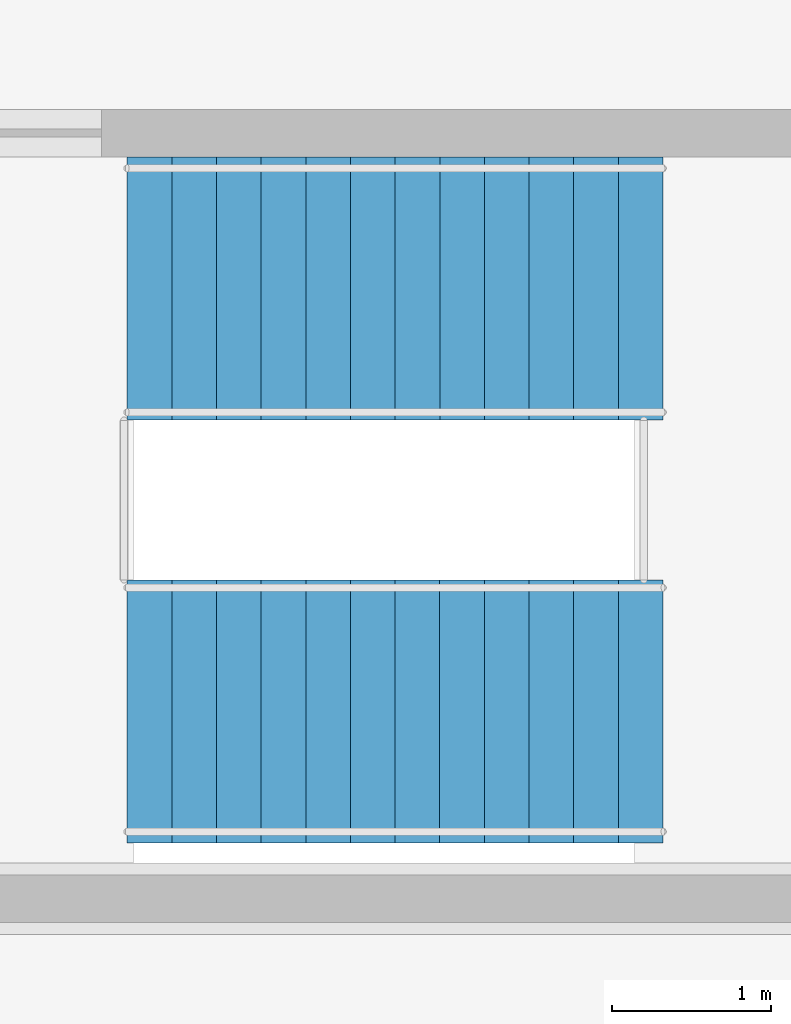
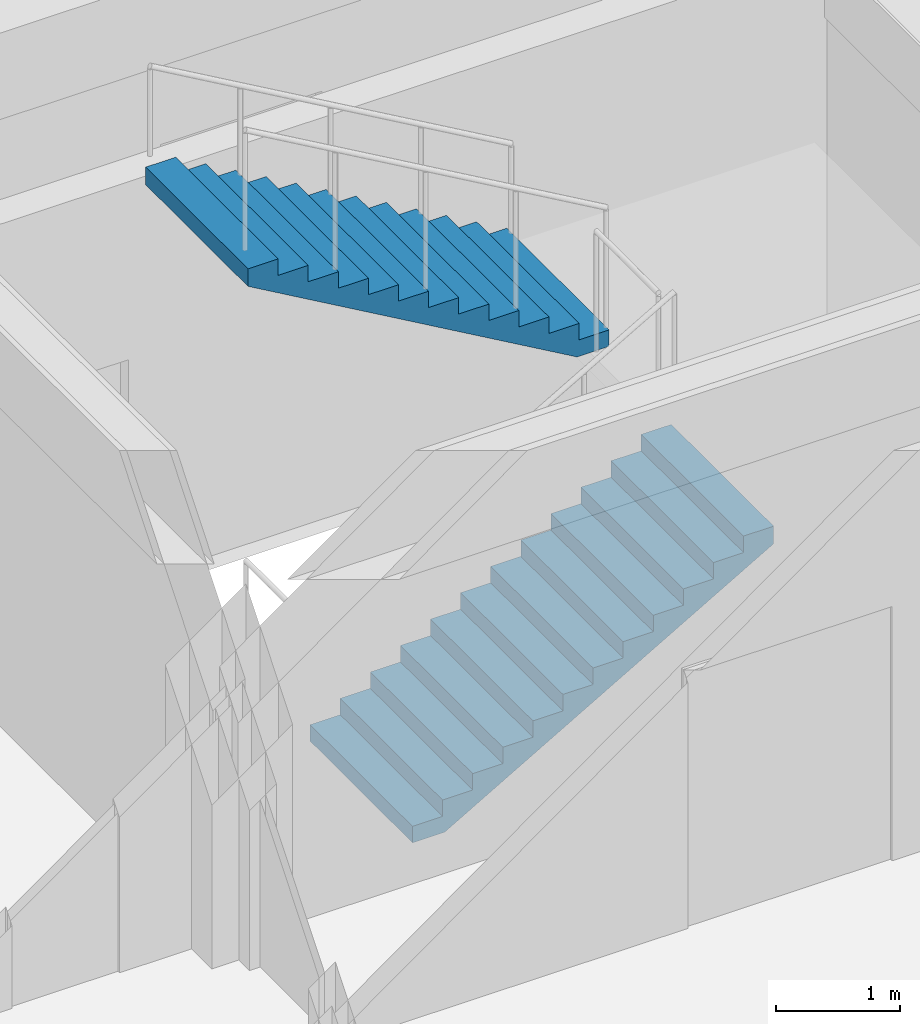
# One storey, part 24 of 27: 2 stair flights, 1 element without a shape of its own.
"""IFC4 building model written with IfcOpenShell, lengths in metres."""

import ifcopenshell
import ifcopenshell.guid

model = None  # the IFC model being written
_history = None  # IfcOwnerHistory: only IFC2X3 demands one
_inside = {}  # id of a spatial element -> (the spatial element, [elements in it])
_under = {}  # id of a project, library or spatial element -> (it, [spatial elements below it])
_declared = {}  # id of a project -> (the project, [libraries it declares])
_typed = {}  # id of a type object -> (the type object, [elements of that type])
_made_of = {}  # id of a material, layer set ... -> (it, [elements and type objects made of it])


def new_model(schema):
    """Start an empty IFC model of exactly this schema.

    Asked for "IFC4X3", IfcOpenShell would pick the latest addendum, in which some entities
    have other attributes; the version numbers below select the first issue.
    IFC2X3 requires an IfcOwnerHistory on every rooted entity: one is made here for all.
    """
    global model, _history
    if schema == "IFC4X3":
        model = ifcopenshell.file(schema_version=(4, 3, 0, 0))
    else:
        model = ifcopenshell.file(schema=schema)
    _inside.clear()
    _under.clear()
    _declared.clear()
    _typed.clear()
    _made_of.clear()
    _history = None
    if model.schema == "IFC2X3":
        org = make("IfcOrganization", Name="unknown")
        user = make(
            "IfcPersonAndOrganization",
            ThePerson=make("IfcPerson", FamilyName="unknown"),
            TheOrganization=org,
        )
        app = make(
            "IfcApplication",
            ApplicationDeveloper=org,
            Version="unknown",
            ApplicationFullName="unknown",
            ApplicationIdentifier="unknown",
        )
        _history = make(
            "IfcOwnerHistory",
            OwningUser=user,
            OwningApplication=app,
            ChangeAction="ADDED",
            CreationDate=0,
        )
    return model


def make(cls, **values):
    """One entity of the class cls with the attributes given. An attribute that is None is left unset."""
    return model.create_entity(
        cls, **{name: value for name, value in values.items() if value is not None}
    )


def rooted(cls, **values):
    """An entity with a GlobalId (a new one), such as an element, a storey or a relation."""
    return make(cls, GlobalId=ifcopenshell.guid.new(), OwnerHistory=_history, **values)


def si_unit(unit_type, name, prefix=None):
    """IfcSIUnit, for example si_unit("LENGTHUNIT", "METRE", prefix="MILLI")."""
    return make("IfcSIUnit", UnitType=unit_type, Prefix=prefix, Name=name)


def assignment(units):
    """IfcUnitAssignment: the units of a project."""
    return None if units is None else make("IfcUnitAssignment", Units=units)


def point(xyz):
    """IfcCartesianPoint."""
    return None if xyz is None else make("IfcCartesianPoint", Coordinates=xyz)


def direction(xyz):
    """IfcDirection."""
    return None if xyz is None else make("IfcDirection", DirectionRatios=xyz)


def frame(location, z_axis=None, x_axis=None):
    """IfcAxis2Placement3D, a coordinate frame: its origin and axes. An axis left out is left unset."""
    return make(
        "IfcAxis2Placement3D",
        Location=point(location),
        Axis=direction(z_axis),
        RefDirection=direction(x_axis),
    )


def origin():
    """The frame at (0, 0, 0) with its axes left unset."""
    return frame((0.0, 0.0, 0.0))


def place(relative_to, where):
    """IfcLocalPlacement: puts the frame where relative to a parent placement (None: the world)."""
    return make(
        "IfcLocalPlacement", PlacementRelTo=relative_to, RelativePlacement=where
    )


def context(
    kind, dimensions, precision=None, world=None, true_north=None, identifier=None
):
    """IfcGeometricRepresentationContext, for example the 3D "Model" context."""
    return make(
        "IfcGeometricRepresentationContext",
        ContextIdentifier=identifier,
        ContextType=kind,
        CoordinateSpaceDimension=dimensions,
        Precision=precision,
        WorldCoordinateSystem=world,
        TrueNorth=true_north,
    )


def subcontext(parent, identifier, kind, view, scale=None):
    """IfcGeometricRepresentationSubContext, for example "Body" below "Model"."""
    return make(
        "IfcGeometricRepresentationSubContext",
        ContextIdentifier=identifier,
        ContextType=kind,
        ParentContext=parent,
        TargetScale=scale,
        TargetView=view,
    )


def project(units=None, contexts=None):
    """IfcProject with its units and contexts."""
    return rooted(
        "IfcProject",
        Name="project",
        RepresentationContexts=contexts,
        UnitsInContext=assignment(units),
    )


def spatial(cls, under=None, at=None, **own):
    """A site, building, storey or space (cls), placed at a placement, below another one or the project."""
    s = rooted(cls, ObjectPlacement=at, **own)
    if under is not None:
        _under.setdefault(under.id(), (under, []))[1].append(s)
    return s


def polyline(points):
    """IfcPolyline through the points."""
    return make("IfcPolyline", Points=[point(p) for p in points])


def outline(outer, holes=None, kind="AREA"):
    """IfcArbitraryClosedProfileDef: a profile drawn as a closed curve; with holes, ...WithVoids."""
    if holes is None:
        return make("IfcArbitraryClosedProfileDef", ProfileType=kind, OuterCurve=outer)
    return make(
        "IfcArbitraryProfileDefWithVoids",
        ProfileType=kind,
        OuterCurve=outer,
        InnerCurves=holes,
    )


def extrude(swept, where, along, depth):
    """IfcExtrudedAreaSolid: the profile swept, set in the frame where, extruded along a direction by depth."""
    return make(
        "IfcExtrudedAreaSolid",
        SweptArea=swept,
        Position=where,
        ExtrudedDirection=direction(along),
        Depth=depth,
    )


def shape(context_of_items, identifier, shape_type, items):
    """IfcShapeRepresentation: the items that make up one representation, for example the "Body"."""
    return make(
        "IfcShapeRepresentation",
        ContextOfItems=context_of_items,
        RepresentationIdentifier=identifier,
        RepresentationType=shape_type,
        Items=items,
    )


def material(Name=None, Category=None):
    """IfcMaterial."""
    return make("IfcMaterial", Name=Name, Category=Category)


def made_of(thing, what):
    """Note that an element or type object is made of a material, layer set ...; save() writes the relation."""
    if what is not None:
        _made_of.setdefault(what.id(), (what, []))[1].append(thing)
    return thing


def type_object(cls, material=None, **own):
    """A type object (cls), such as IfcWallType, which elements share."""
    return made_of(rooted(cls, **own), material)


def element(
    cls,
    number,
    at=None,
    inside=None,
    cuts=None,
    type_object=None,
    material=None,
    context=None,
    identifier="Body",
    shape_type=None,
    held_by="IfcProductDefinitionShape",
    body=None,
    shapes=None,
    **own,
):
    """One element of the class cls, such as IfcWall. Its Tag is "e" and its number.

    at: its placement. inside: the storey or other place that contains it. cuts: it is an
    opening in that element (IfcRelVoidsElement). A single representation is given by context,
    identifier, shape_type and body (its items); several are given by shapes. held_by: the class
    of the entity that holds the representations. save() writes the other relations.
    """
    e = rooted(cls, Tag="e%d" % number, ObjectPlacement=at, **own)
    if body is not None:
        shapes = [shape(context, identifier, shape_type, body)]
    if shapes is not None:
        e.Representation = make(held_by, Representations=shapes)
    if inside is not None:
        _inside.setdefault(inside.id(), (inside, []))[1].append(e)
    if cuts is not None:
        rooted(
            "IfcRelVoidsElement", RelatingBuildingElement=cuts, RelatedOpeningElement=e
        )
    if type_object is not None:
        _typed.setdefault(type_object.id(), (type_object, []))[1].append(e)
    return made_of(e, material)


def aggregate(whole, parts):
    """IfcRelAggregates: a whole, such as a stair, and the parts it consists of."""
    return rooted("IfcRelAggregates", RelatingObject=whole, RelatedObjects=parts)


def save(model, path):
    """Write the relations noted so far, then the file.

    IfcRelAggregates (storeys below a building ...), IfcRelContainedInSpatialStructure (elements
    in a storey), IfcRelDefinesByType, IfcRelAssociatesMaterial and IfcRelDeclares: one each for
    every whole, place, type object, material and project.
    """
    for whole, parts in _under.values():
        aggregate(whole, parts)
    for where, things in _inside.values():
        rooted(
            "IfcRelContainedInSpatialStructure",
            RelatedElements=things,
            RelatingStructure=where,
        )
    for kind, things in _typed.values():
        rooted("IfcRelDefinesByType", RelatedObjects=things, RelatingType=kind)
    for what, things in _made_of.values():
        rooted("IfcRelAssociatesMaterial", RelatedObjects=things, RelatingMaterial=what)
    for by, libraries in _declared.values():
        rooted("IfcRelDeclares", RelatingContext=by, RelatedDefinitions=libraries)
    model.write(path)


model = new_model("IFC4")

# Units and contexts
model_context = context("Model", 3, precision=1e-05, world=origin(), true_north=direction((0.0, 1.0)))
body_context = subcontext(model_context, "Body", "Model", "MODEL_VIEW")
ifc_project = project(units=[si_unit("LENGTHUNIT", "METRE"), si_unit("AREAUNIT", "SQUARE_METRE"), si_unit("VOLUMEUNIT", "CUBIC_METRE"), si_unit("PLANEANGLEUNIT", "RADIAN"), si_unit("MASSUNIT", "GRAM", prefix="KILO")], contexts=[model_context])

# Site, building, storey
site_placement = place(None, origin())
site = spatial("IfcSite", under=ifc_project, at=site_placement, CompositionType="ELEMENT")
building_placement = place(site_placement, origin())
building = spatial("IfcBuilding", under=site, at=building_placement, Name="Chengyuan Square Courthouse", CompositionType="ELEMENT")
storey_placement = place(building_placement, frame((0.0, 0.0, 39.300048828125)))
storey = spatial("IfcBuildingStorey", under=building, at=storey_placement, Name="L09", CompositionType="ELEMENT", Elevation=39.300048828125)

# Stair, stair flights
ifc_material = material(Name="Concrete C40", Category="concrete")
stair_type = type_object("IfcStairType", Name="ST-TYPE-06", PredefinedType="HALF_TURN_STAIR", material=ifc_material)
stair_placement = place(storey_placement, origin())
stair = element("IfcStair", 1, at=stair_placement, inside=storey, type_object=stair_type, Name="Smoke-Proof Exit Stair ST-6 (L09 to L10)", PredefinedType="HALF_TURN_STAIR")
stair_flight_type = type_object("IfcStairFlightType", Name="STF-TYPE-06", PredefinedType="STRAIGHT", material=ifc_material)
stair_flight_1_placement = place(storey_placement, frame((119.510009765625, 87.574951171875, 0.0), z_axis=(0.0, 0.0, 1.0), x_axis=(1.0, 0.0, 0.0)))
stair_flight_1 = element("IfcStairFlight", 2, at=stair_flight_1_placement, type_object=stair_flight_type, Name="ST-6 flight 1", NumberOfRisers=13, NumberOfTreads=12, PredefinedType="STRAIGHT", RiserHeight=0.161538462, TreadLength=0.28, context=body_context, shape_type="SweptSolid", body=[
    extrude(outline(polyline([(0.0, 0.0), (0.0, 0.16162109375), (0.280029296875, 0.16162109375), (0.280029296875, 0.322998046875), (0.56005859375, 0.322998046875), (0.56005859375, 0.484619140625), (0.840087890625, 0.484619140625), (0.840087890625, 0.646240234375), (1.1201171875, 0.646240234375), (1.1201171875, 0.8076171875), (1.39990234375, 0.8076171875), (1.39990234375, 0.96923828125), (1.679931640625, 0.96923828125), (1.679931640625, 1.130859375), (1.9599609375, 1.130859375), (1.9599609375, 1.292236328125), (2.239990234375, 1.292236328125), (2.239990234375, 1.453857421875), (2.52001953125, 1.453857421875), (2.52001953125, 1.615478515625), (2.800048828125, 1.615478515625), (2.800048828125, 1.77685546875), (3.080078125, 1.77685546875), (3.080078125, 1.9384765625), (3.360107421875, 1.9384765625), (3.360107421875, 2.10009765625), (3.360107421875, 1.765380859375), (0.300048828125, 0.0), (0.0, 0.0)])), frame((0.0, 0.824951171875, 0.0), z_axis=(0.0, -1.0, 0.0), x_axis=(1.0, 0.0, 0.0)), (0.0, 0.0, 1.0), 1.64990234375),
])
stair_flight_2_placement = place(storey_placement, frame((122.8701171875, 90.22509765625, 2.099853515625), z_axis=(0.0, 0.0, 1.0), x_axis=(-1.0, 0.0, 0.0)))
stair_flight_2 = element("IfcStairFlight", 3, at=stair_flight_2_placement, type_object=stair_flight_type, Name="ST-6 flight 2", NumberOfRisers=13, NumberOfTreads=12, PredefinedType="STRAIGHT", RiserHeight=0.161538462, TreadLength=0.28, context=body_context, shape_type="SweptSolid", body=[
    extrude(outline(polyline([(0.0, 0.0), (0.0, 0.16162109375), (0.280029296875, 0.16162109375), (0.280029296875, 0.322998046875), (0.56005859375, 0.322998046875), (0.56005859375, 0.484619140625), (0.840087890625, 0.484619140625), (0.840087890625, 0.646240234375), (1.1201171875, 0.646240234375), (1.1201171875, 0.8076171875), (1.39990234375, 0.8076171875), (1.39990234375, 0.96923828125), (1.679931640625, 0.96923828125), (1.679931640625, 1.130859375), (1.9599609375, 1.130859375), (1.9599609375, 1.292236328125), (2.239990234375, 1.292236328125), (2.239990234375, 1.453857421875), (2.52001953125, 1.453857421875), (2.52001953125, 1.615478515625), (2.800048828125, 1.615478515625), (2.800048828125, 1.77685546875), (3.080078125, 1.77685546875), (3.080078125, 1.9384765625), (3.360107421875, 1.9384765625), (3.360107421875, 2.10009765625), (3.360107421875, 1.765380859375), (0.300048828125, 0.0), (0.0, 0.0)])), frame((0.0, 0.824951171875, 0.0), z_axis=(0.0, -1.0, 0.0), x_axis=(1.0, 0.0, 0.0)), (0.0, 0.0, 1.0), 1.64990234375),
])
aggregate(stair, [stair_flight_1, stair_flight_2])

save(model, "model.ifc")
